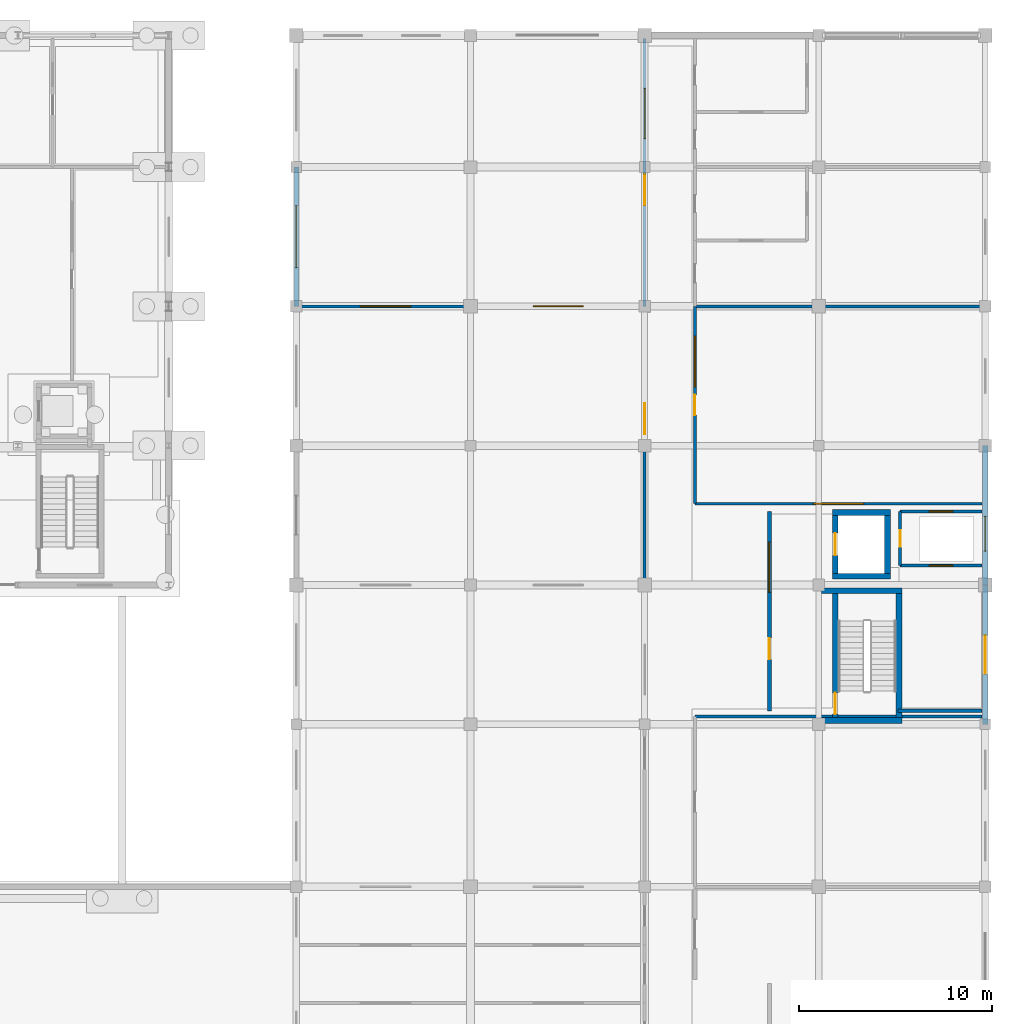
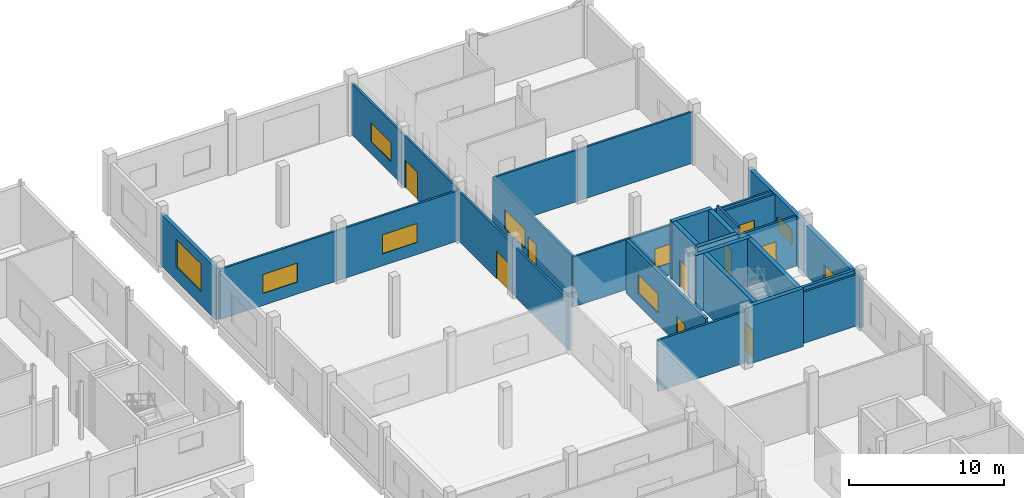
# One storey, part 77 of 91: 23 walls, 10 windows, 8 doors, 18 openings.
"""IFC4 building model written with IfcOpenShell, lengths in metres."""

from ifc_helpers import new_model, si_unit, direction, frame, frame_2d, origin, place, context, subcontext, project, spatial, rectangle, extrude, material, layer, layer_set, type_object, element, fill, save


model = new_model("IFC4")

# Units and contexts
model_context = context("Model", 3, precision=1e-05, world=origin(), true_north=direction((0.0, 1.0)))
body_context = subcontext(model_context, "Body", "Model", "MODEL_VIEW")
ifc_project = project(units=[si_unit("LENGTHUNIT", "METRE"), si_unit("AREAUNIT", "SQUARE_METRE"), si_unit("VOLUMEUNIT", "CUBIC_METRE"), si_unit("PLANEANGLEUNIT", "RADIAN"), si_unit("MASSUNIT", "GRAM", prefix="KILO")], contexts=[model_context])

# Site, building, storey
site_placement = place(None, origin())
site = spatial("IfcSite", under=ifc_project, at=site_placement, CompositionType="ELEMENT")
building_placement = place(site_placement, origin())
building = spatial("IfcBuilding", under=site, at=building_placement, Name="Vinh Khe Railworks Police Headquarters", CompositionType="ELEMENT")
storey_placement = place(building_placement, origin())
storey = spatial("IfcBuildingStorey", under=building, at=storey_placement, Name="L00", CompositionType="ELEMENT", Elevation=0.0)

# Walls
ifc_material_1 = material(Name="Concrete C40/50 (B40)", Category="concrete")
ifc_layer_1 = layer(ifc_material_1, 0.300048828125)
ifc_layer_set_1 = layer_set([ifc_layer_1], Name="Concrete C40/50 (B40)")
wall_type_1 = type_object("IfcWallType", Name="Core Shear Wall 300", PredefinedType="SHEAR", material=ifc_layer_set_1)
for number, where, z_axis, x_axis, name in (
    (1, (105.14990234375, 131.0, 0.0), (0.0, 0.0, 1.0), (1.0, 0.0, 0.0), "Core C3 STAIR-S Shear Wall (L00)"),
    (2, (105.14990234375, 137.699951171875, 0.0), (0.0, 0.0, 1.0), (1.0, 0.0, 0.0), "Core C3 STAIR-N Shear Wall (L00)"),
):
    element("IfcWall", number, at=place(storey_placement, frame(where, z_axis=z_axis, x_axis=x_axis)), inside=storey, type_object=wall_type_1, Name=name, PredefinedType="SHEAR", context=body_context, shape_type="SweptSolid", body=[
        extrude(rectangle(XDim=4.150146484375, YDim=0.300048828125, at=frame_2d((2.0751953125, 0.0))), origin(), (0.0, 0.0, 1.0), 4.56005859375),
    ])

# Wall, opening, door
wall_1_placement = place(storey_placement, frame((105.85009765625, 131.14990234375, 0.0), z_axis=(0.0, 0.0, 1.0), x_axis=(0.0, 1.0, 0.0)))
wall_1 = element("IfcWall", 3, at=wall_1_placement, inside=storey, type_object=wall_type_1, Name="Core C3 STAIR-W Shear Wall (L00)", PredefinedType="SHEAR", context=body_context, shape_type="SweptSolid", body=[
    extrude(rectangle(XDim=6.400146484375, YDim=0.300048828125, at=frame_2d((3.2001953125, 0.0))), origin(), (0.0, 0.0, 1.0), 4.56005859375),
])
opening_1_placement = place(wall_1_placement, frame((0.169921875, 0.0, 0.0)))
opening_1 = element("IfcOpeningElement", 4, at=opening_1_placement, cuts=wall_1, Name="Opening FD-01", PredefinedType="OPENING", context=body_context, shape_type="SweptSolid", body=[
    extrude(rectangle(XDim=1.10009765625, YDim=2.14990234375, at=frame_2d((0.550048828125, 1.074951171875))), frame((0.0, 0.1650390625, 0.0), z_axis=(0.0, -1.0, 0.0), x_axis=(1.0, 0.0, 0.0)), (0.0, 0.0, 1.0), 0.329833984375),
])
ifc_material_2 = material(Name="Painted galvanised steel", Category="steel")
door_type_1 = type_object("IfcDoorType", Name="FD-1100x2150", OperationType="NOTDEFINED", PredefinedType="DOOR", material=ifc_material_2)
door_1_placement = place(opening_1_placement, origin())
door_1 = element("IfcDoor", 5, at=door_1_placement, inside=storey, type_object=door_type_1, Name="Escape Stair ST-03 Fire Door L00", OperationType="SINGLE_SWING_LEFT", OverallHeight=2.14990234375, OverallWidth=1.10009765625, PredefinedType="DOOR", context=body_context, shape_type="SweptSolid", body=[
    extrude(rectangle(XDim=1.10009765625, YDim=2.14990234375, at=frame_2d((0.550048828125, 1.074951171875))), frame((0.0, 0.02490234375, 0.0), z_axis=(0.0, -1.0, 0.0), x_axis=(1.0, 0.0, 0.0)), (0.0, 0.0, 1.0), 0.050048828125),
])
fill(opening_1, door_1)

# Walls
wall_2_placement = place(storey_placement, frame((109.14990234375, 131.14990234375, 0.0), z_axis=(0.0, 0.0, 1.0), x_axis=(0.0, 1.0, 0.0)))
element("IfcWall", 6, at=wall_2_placement, inside=storey, type_object=wall_type_1, Name="Core C3 STAIR-E Shear Wall (L00)", PredefinedType="SHEAR", context=body_context, shape_type="SweptSolid", body=[
    extrude(rectangle(XDim=6.400146484375, YDim=0.300048828125, at=frame_2d((3.2001953125, 0.0))), origin(), (0.0, 0.0, 1.0), 4.56005859375),
])
for number, where, z_axis, x_axis, name in (
    (7, (105.699951171875, 138.449951171875, 0.0), (0.0, 0.0, 1.0), (1.0, 0.0, 0.0), "Core C3 PL-S Lift Shaft Wall (L00)"),
    (8, (105.699951171875, 141.75, 0.0), (0.0, 0.0, 1.0), (1.0, 0.0, 0.0), "Core C3 PL-N Lift Shaft Wall (L00)"),
):
    element("IfcWall", number, at=place(storey_placement, frame(where, z_axis=z_axis, x_axis=x_axis)), inside=storey, type_object=wall_type_1, Name=name, PredefinedType="SHEAR", context=body_context, shape_type="SweptSolid", body=[
        extrude(rectangle(XDim=3.0, YDim=0.300048828125, at=frame_2d((1.5, 0.0))), origin(), (0.0, 0.0, 1.0), 4.56005859375),
    ])

# Wall, opening, door
wall_3_placement = place(storey_placement, frame((105.85009765625, 138.60009765625, 0.0), z_axis=(0.0, 0.0, 1.0), x_axis=(0.0, 1.0, 0.0)))
wall_3 = element("IfcWall", 9, at=wall_3_placement, inside=storey, type_object=wall_type_1, Name="Core C3 PL-W Lift Shaft Wall (L00)", PredefinedType="SHEAR", context=body_context, shape_type="SweptSolid", body=[
    extrude(rectangle(XDim=3.0, YDim=0.300048828125, at=frame_2d((1.5, 0.0))), origin(), (0.0, 0.0, 1.0), 4.56005859375),
])
opening_2_placement = place(wall_3_placement, frame((0.925048828125, 0.0, 0.0)))
opening_2 = element("IfcOpeningElement", 10, at=opening_2_placement, cuts=wall_3, Name="Opening LD-03", PredefinedType="OPENING", context=body_context, shape_type="SweptSolid", body=[
    extrude(rectangle(XDim=1.14990234375, YDim=2.14990234375, at=frame_2d((0.574951171875, 1.074951171875))), frame((0.0, 0.1650390625, 0.0), z_axis=(0.0, -1.0, 0.0), x_axis=(1.0, 0.0, 0.0)), (0.0, 0.0, 1.0), 0.329833984375),
])
door_type_2 = type_object("IfcDoorType", Name="LD-CUST-1150", OperationType="SLIDING_TO_LEFT", PredefinedType="DOOR", material=ifc_material_2)
door_2_placement = place(opening_2_placement, origin())
door_2 = element("IfcDoor", 11, at=door_2_placement, inside=storey, type_object=door_type_2, Name="Lift Landing Door PL-03 L00", OperationType="SLIDING_TO_LEFT", OverallHeight=2.14990234375, OverallWidth=1.14990234375, PredefinedType="DOOR", context=body_context, shape_type="SweptSolid", body=[
    extrude(rectangle(XDim=1.14990234375, YDim=2.14990234375, at=frame_2d((0.574951171875, 1.074951171875))), frame((0.0, 0.02490234375, 0.0), z_axis=(0.0, -1.0, 0.0), x_axis=(1.0, 0.0, 0.0)), (0.0, 0.0, 1.0), 0.050048828125),
])
fill(opening_2, door_2)

# Wall
wall_4_placement = place(storey_placement, frame((108.550048828125, 138.60009765625, 0.0), z_axis=(0.0, 0.0, 1.0), x_axis=(0.0, 1.0, 0.0)))
element("IfcWall", 12, at=wall_4_placement, inside=storey, type_object=wall_type_1, Name="Core C3 PL-E Lift Shaft Wall (L00)", PredefinedType="SHEAR", context=body_context, shape_type="SweptSolid", body=[
    extrude(rectangle(XDim=3.0, YDim=0.300048828125, at=frame_2d((1.5, 0.0))), origin(), (0.0, 0.0, 1.0), 4.56005859375),
])

# Wall, opening, window
ifc_material_3 = material(Name="Clay brickwork", Category="masonry")
ifc_layer_2 = layer(ifc_material_3, 0.260009765625)
ifc_layer_set_2 = layer_set([ifc_layer_2], Name="Clay brickwork")
wall_type_2 = type_object("IfcWallType", Name="EW-BRK-260", PredefinedType="SOLIDWALL", material=ifc_layer_set_2)
wall_5_placement = place(storey_placement, frame((78.0, 152.39990234375, 0.0), z_axis=(0.0, 0.0, 1.0), x_axis=(0.0, 1.0, 0.0)))
wall_5 = element("IfcWall", 13, at=wall_5_placement, inside=storey, type_object=wall_type_2, Name="Exterior Brick Wall EW-L00-V6W-08", PredefinedType="SOLIDWALL", context=body_context, shape_type="SweptSolid", body=[
    extrude(rectangle(XDim=7.2001953125, YDim=0.260009765625, at=frame_2d((3.60009765625, 0.0))), origin(), (0.0, 0.0, 1.0), 4.054931640625),
])
opening_3_placement = place(wall_5_placement, frame((2.0, 0.0, 1.050048828125)))
opening_3 = element("IfcOpeningElement", 14, at=opening_3_placement, cuts=wall_5, Name="Opening WN-03", PredefinedType="OPENING", context=body_context, shape_type="SweptSolid", body=[
    extrude(rectangle(XDim=3.199951171875, YDim=2.199951171875, at=frame_2d((1.60009765625, 1.10009765625))), frame((0.0, 0.14501953125, 0.0), z_axis=(0.0, -1.0, 0.0), x_axis=(1.0, 0.0, 0.0)), (0.0, 0.0, 1.0), 0.289794921875),
])
ifc_material_4 = material(Name="Double-glazed solar-control glass in dark steel frame", Category="steel")
window_type_1 = type_object("IfcWindowType", Name="WIN-WN-03", PartitioningType="TRIPLE_PANEL_VERTICAL", PredefinedType="WINDOW", material=ifc_material_4)
window_1_placement = place(opening_3_placement, origin())
window_1 = element("IfcWindow", 15, at=window_1_placement, inside=storey, type_object=window_type_1, Name="Casement Window WN-03", OverallHeight=2.199951171875, OverallWidth=3.199951171875, PartitioningType="SINGLE_PANEL", PredefinedType="WINDOW", context=body_context, shape_type="SweptSolid", body=[
    extrude(rectangle(XDim=3.199951171875, YDim=2.199951171875, at=frame_2d((1.60009765625, 1.10009765625))), frame((0.0, 0.030029296875, 0.0), z_axis=(0.0, -1.0, 0.0), x_axis=(1.0, 0.0, 0.0)), (0.0, 0.0, 1.0), 0.06005859375),
])
fill(opening_3, window_1)

# Wall, opening, door
ifc_layer_3 = layer(ifc_material_3, 0.300048828125)
ifc_layer_set_3 = layer_set([ifc_layer_3], Name="Clay brickwork")
wall_type_3 = type_object("IfcWallType", Name="EW-BRK-300", PredefinedType="SOLIDWALL", material=ifc_layer_set_3)
wall_6_placement = place(storey_placement, frame((113.60009765625, 130.800048828125, 0.0), z_axis=(0.0, 0.0, 1.0), x_axis=(0.0, 1.0, 0.0)))
wall_6 = element("IfcWall", 16, at=wall_6_placement, inside=storey, type_object=wall_type_3, Name="Exterior Brick Wall EW-L00-V6E-05", PredefinedType="SOLIDWALL", context=body_context, shape_type="SweptSolid", body=[
    extrude(rectangle(XDim=7.199951171875, YDim=0.300048828125, at=frame_2d((3.60009765625, 0.0))), origin(), (0.0, 0.0, 1.0), 3.965087890625),
])
opening_4_placement = place(wall_6_placement, frame((2.60009765625, 0.0, 0.0)))
opening_4 = element("IfcOpeningElement", 17, at=opening_4_placement, cuts=wall_6, Name="Opening ED-01", PredefinedType="OPENING", context=body_context, shape_type="SweptSolid", body=[
    extrude(rectangle(XDim=2.0, YDim=2.25, at=frame_2d((1.0, 1.125))), frame((0.0, 0.1650390625, 0.0), z_axis=(0.0, -1.0, 0.0), x_axis=(1.0, 0.0, 0.0)), (0.0, 0.0, 1.0), 0.329833984375),
])
ifc_material_5 = material(Name="Dark anodised aluminium and laminated safety glass", Category="aluminium")
door_type_3 = type_object("IfcDoorType", Name="ED-EXIT-2000", OperationType="DOUBLE_DOOR_SINGLE_SWING", PredefinedType="DOOR", material=ifc_material_5)
door_3_placement = place(opening_4_placement, frame((2.0, 0.0, 0.0), z_axis=(0.0, 0.0, 1.0), x_axis=(-1.0, 0.0, 0.0)))
door_3 = element("IfcDoor", 18, at=door_3_placement, inside=storey, type_object=door_type_3, Name="Forensic Core C3 Final Exit Door", OperationType="DOUBLE_DOOR_SINGLE_SWING", OverallHeight=2.25, OverallWidth=2.0, PredefinedType="DOOR", context=body_context, shape_type="SweptSolid", body=[
    extrude(rectangle(XDim=2.0, YDim=2.25, at=frame_2d((1.0, 1.125))), frame((0.0, 0.02490234375, 0.0), z_axis=(0.0, -1.0, 0.0), x_axis=(1.0, 0.0, 0.0)), (0.0, 0.0, 1.0), 0.050048828125),
])
fill(opening_4, door_3)

# Wall, opening, window
wall_7_placement = place(storey_placement, frame((113.60009765625, 138.0, 0.0), z_axis=(0.0, 0.0, 1.0), x_axis=(0.0, 1.0, 0.0)))
wall_7 = element("IfcWall", 19, at=wall_7_placement, inside=storey, type_object=wall_type_3, Name="Exterior Brick Wall EW-L00-V6E-06", PredefinedType="SOLIDWALL", context=body_context, shape_type="SweptSolid", body=[
    extrude(rectangle(XDim=7.199951171875, YDim=0.300048828125, at=frame_2d((3.60009765625, 0.0))), origin(), (0.0, 0.0, 1.0), 3.955078125),
])
opening_5_placement = place(wall_7_placement, frame((1.75, 0.0, 1.10009765625)))
opening_5 = element("IfcOpeningElement", 20, at=opening_5_placement, cuts=wall_7, Name="Opening WN-08", PredefinedType="OPENING", context=body_context, shape_type="SweptSolid", body=[
    extrude(rectangle(XDim=1.800048828125, YDim=1.199951171875, at=frame_2d((0.89990234375, 0.60009765625))), frame((0.0, 0.1650390625, 0.0), z_axis=(0.0, -1.0, 0.0), x_axis=(1.0, 0.0, 0.0)), (0.0, 0.0, 1.0), 0.329833984375),
])
window_type_2 = type_object("IfcWindowType", Name="WIN-WN-08", PartitioningType="SINGLE_PANEL", PredefinedType="WINDOW", material=ifc_material_4)
window_2_placement = place(opening_5_placement, origin())
window_2 = element("IfcWindow", 21, at=window_2_placement, inside=storey, type_object=window_type_2, Name="Casement Window WN-08", OverallHeight=1.199951171875, OverallWidth=1.800048828125, PartitioningType="SINGLE_PANEL", PredefinedType="WINDOW", context=body_context, shape_type="SweptSolid", body=[
    extrude(rectangle(XDim=1.800048828125, YDim=1.199951171875, at=frame_2d((0.89990234375, 0.60009765625))), frame((0.0, 0.030029296875, 0.0), z_axis=(0.0, -1.0, 0.0), x_axis=(1.0, 0.0, 0.0)), (0.0, 0.0, 1.0), 0.06005859375),
])
fill(opening_5, window_2)

# Wall, openings, door, window
ifc_material_6 = material(Name="Autoclaved aerated concrete blockwork", Category="masonry")
ifc_layer_4 = layer(ifc_material_6, 0.199951171875)
ifc_layer_set_4 = layer_set([ifc_layer_4], Name="Autoclaved aerated concrete blockwork")
wall_type_4 = type_object("IfcWallType", Name="IW-BLK-200", PredefinedType="PARTITIONING", material=ifc_layer_set_4)
wall_8_placement = place(storey_placement, frame((102.449951171875, 131.5, 0.0), z_axis=(0.0, 0.0, 1.0), x_axis=(0.0, 1.0, 0.0)))
wall_8 = element("IfcWall", 22, at=wall_8_placement, inside=storey, type_object=wall_type_4, Name="Interior Partition W-C3LOB-W-L00", PredefinedType="PARTITIONING", context=body_context, shape_type="SweptSolid", body=[
    extrude(rectangle(XDim=10.300048828125, YDim=0.199951171875, at=frame_2d((5.14990234375, 0.0))), origin(), (0.0, 0.0, 1.0), 4.205078125),
])
opening_6_placement = place(wall_8_placement, frame((2.64990234375, 0.0, 0.0)))
opening_6 = element("IfcOpeningElement", 23, at=opening_6_placement, cuts=wall_8, Name="Opening FD-01", PredefinedType="OPENING", context=body_context, shape_type="SweptSolid", body=[
    extrude(rectangle(XDim=1.10009765625, YDim=2.14990234375, at=frame_2d((0.550048828125, 1.074951171875))), frame((0.0, 0.11474609375, 0.0), z_axis=(0.0, -1.0, 0.0), x_axis=(1.0, 0.0, 0.0)), (0.0, 0.0, 1.0), 0.229736328125),
])
opening_7_placement = place(wall_8_placement, frame((6.115966796875, 0.0, 0.949951171875)))
opening_7 = element("IfcOpeningElement", 24, at=opening_7_placement, cuts=wall_8, Name="Opening WN-07", PredefinedType="OPENING", context=body_context, shape_type="SweptSolid", body=[
    extrude(rectangle(XDim=2.60009765625, YDim=1.5, at=frame_2d((1.300048828125, 0.75))), frame((0.0, 0.11474609375, 0.0), z_axis=(0.0, -1.0, 0.0), x_axis=(1.0, 0.0, 0.0)), (0.0, 0.0, 1.0), 0.229736328125),
])
door_4_placement = place(opening_6_placement, origin())
door_4 = element("IfcDoor", 25, at=door_4_placement, inside=storey, type_object=door_type_1, Name="Forensic Stair Lobby Fire Door", OperationType="SINGLE_SWING_RIGHT", OverallHeight=2.14990234375, OverallWidth=1.10009765625, PredefinedType="DOOR", context=body_context, shape_type="SweptSolid", body=[
    extrude(rectangle(XDim=1.10009765625, YDim=2.14990234375, at=frame_2d((0.550048828125, 1.074951171875))), frame((0.0, 0.02490234375, 0.0), z_axis=(0.0, -1.0, 0.0), x_axis=(1.0, 0.0, 0.0)), (0.0, 0.0, 1.0), 0.050048828125),
])
fill(opening_6, door_4)
window_type_3 = type_object("IfcWindowType", Name="WIN-WN-07", PartitioningType="DOUBLE_PANEL_HORIZONTAL", PredefinedType="WINDOW", material=ifc_material_4)
window_3_placement = place(opening_7_placement, origin())
window_3 = element("IfcWindow", 26, at=window_3_placement, inside=storey, type_object=window_type_3, Name="Interior Acoustic Vision Window WN-07", OverallHeight=1.5, OverallWidth=2.60009765625, PartitioningType="SINGLE_PANEL", PredefinedType="WINDOW", context=body_context, shape_type="SweptSolid", body=[
    extrude(rectangle(XDim=2.60009765625, YDim=1.5, at=frame_2d((1.300048828125, 0.75))), frame((0.0, 0.030029296875, 0.0), z_axis=(0.0, -1.0, 0.0), x_axis=(1.0, 0.0, 0.0)), (0.0, 0.0, 1.0), 0.06005859375),
])
fill(opening_7, window_3)

# Wall
wall_9_placement = place(storey_placement, frame((109.10009765625, 131.5, 0.0), z_axis=(0.0, 0.0, 1.0), x_axis=(1.0, 0.0, 0.0)))
element("IfcWall", 27, at=wall_9_placement, inside=storey, type_object=wall_type_4, Name="Interior Partition W-C3PASS-S-L00", PredefinedType="PARTITIONING", context=body_context, shape_type="SweptSolid", body=[
    extrude(rectangle(XDim=4.33984375, YDim=0.199951171875, at=frame_2d((2.169921875, 0.0))), origin(), (0.0, 0.0, 1.0), 4.22509765625),
])

# Wall, openings, windows
ifc_material_7 = material(Name="Gypsum plasterboard on steel stud", Category="steel")
ifc_layer_5 = layer(ifc_material_7, 0.1201171875)
ifc_layer_set_5 = layer_set([ifc_layer_5], Name="Gypsum plasterboard on steel stud")
wall_type_5 = type_object("IfcWallType", Name="IW-PART-120", PredefinedType="PARTITIONING", material=ifc_layer_set_5)
wall_10_placement = place(storey_placement, frame((78.139892578125, 152.39990234375, 0.0), z_axis=(0.0, 0.0, 1.0), x_axis=(1.0, 0.0, 0.0)))
wall_10 = element("IfcWall", 28, at=wall_10_placement, inside=storey, type_object=wall_type_5, Name="Interior Partition W-L00-V6-TREG-DIV", PredefinedType="PARTITIONING", context=body_context, shape_type="SweptSolid", body=[
    extrude(rectangle(XDim=17.860107421875, YDim=0.14990234375, at=frame_2d((8.93017578125, 0.0))), origin(), (0.0, 0.0, 1.0), 3.965087890625),
])
opening_8_placement = place(wall_10_placement, frame((3.1650390625, 0.0, 0.949951171875)))
opening_8 = element("IfcOpeningElement", 29, at=opening_8_placement, cuts=wall_10, Name="Opening WN-07", PredefinedType="OPENING", context=body_context, shape_type="SweptSolid", body=[
    extrude(rectangle(XDim=2.60009765625, YDim=1.5, at=frame_2d((1.300048828125, 0.75))), frame((0.0, 0.08984375, 0.0), z_axis=(0.0, -1.0, 0.0), x_axis=(1.0, 0.0, 0.0)), (0.0, 0.0, 1.0), 0.1796875),
])
opening_9_placement = place(wall_10_placement, frame((12.094970703125, 0.0, 0.949951171875)))
opening_9 = element("IfcOpeningElement", 30, at=opening_9_placement, cuts=wall_10, Name="Opening WN-07", PredefinedType="OPENING", context=body_context, shape_type="SweptSolid", body=[
    extrude(rectangle(XDim=2.60009765625, YDim=1.5, at=frame_2d((1.300048828125, 0.75))), frame((0.0, 0.08984375, 0.0), z_axis=(0.0, -1.0, 0.0), x_axis=(1.0, 0.0, 0.0)), (0.0, 0.0, 1.0), 0.1796875),
])
window_4_placement = place(opening_8_placement, origin())
window_4 = element("IfcWindow", 31, at=window_4_placement, inside=storey, type_object=window_type_3, Name="Interior Acoustic Vision Window WN-07", OverallHeight=1.5, OverallWidth=2.60009765625, PartitioningType="SINGLE_PANEL", PredefinedType="WINDOW", context=body_context, shape_type="SweptSolid", body=[
    extrude(rectangle(XDim=2.60009765625, YDim=1.5, at=frame_2d((1.300048828125, 0.75))), frame((0.0, 0.030029296875, 0.0), z_axis=(0.0, -1.0, 0.0), x_axis=(1.0, 0.0, 0.0)), (0.0, 0.0, 1.0), 0.06005859375),
])
fill(opening_8, window_4)
window_5_placement = place(opening_9_placement, origin())
window_5 = element("IfcWindow", 32, at=window_5_placement, inside=storey, type_object=window_type_3, Name="Interior Acoustic Vision Window WN-07", OverallHeight=1.5, OverallWidth=2.60009765625, PartitioningType="SINGLE_PANEL", PredefinedType="WINDOW", context=body_context, shape_type="SweptSolid", body=[
    extrude(rectangle(XDim=2.60009765625, YDim=1.5, at=frame_2d((1.300048828125, 0.75))), frame((0.0, 0.030029296875, 0.0), z_axis=(0.0, -1.0, 0.0), x_axis=(1.0, 0.0, 0.0)), (0.0, 0.0, 1.0), 0.06005859375),
])
fill(opening_9, window_5)

# Wall
wall_11_placement = place(storey_placement, frame((98.60009765625, 131.199951171875, 0.0), z_axis=(0.0, 0.0, 1.0), x_axis=(1.0, 0.0, 0.0)))
element("IfcWall", 33, at=wall_11_placement, inside=storey, type_object=wall_type_5, Name="Interior Partition W-L00-V6-DRY-ENDN", PredefinedType="PARTITIONING", context=body_context, shape_type="SweptSolid", body=[
    extrude(rectangle(XDim=14.83984375, YDim=0.14990234375, at=frame_2d((7.419921875, 0.0))), origin(), (0.0, 0.0, 1.0), 4.054931640625),
])

# Wall, opening, window
wall_12_placement = place(storey_placement, frame((98.60009765625, 142.199951171875, 0.0), z_axis=(0.0, 0.0, 1.0), x_axis=(1.0, 0.0, 0.0)))
wall_12 = element("IfcWall", 34, at=wall_12_placement, inside=storey, type_object=wall_type_5, Name="Interior Partition W-L00-V6-FSTOR-DIV", PredefinedType="PARTITIONING", context=body_context, shape_type="SweptSolid", body=[
    extrude(rectangle(XDim=14.83984375, YDim=0.14990234375, at=frame_2d((7.419921875, 0.0))), origin(), (0.0, 0.0, 1.0), 3.955078125),
])
opening_10_placement = place(wall_12_placement, frame((6.1201171875, 0.0, 0.949951171875)))
opening_10 = element("IfcOpeningElement", 35, at=opening_10_placement, cuts=wall_12, Name="Opening WN-07", PredefinedType="OPENING", context=body_context, shape_type="SweptSolid", body=[
    extrude(rectangle(XDim=2.60009765625, YDim=1.5, at=frame_2d((1.300048828125, 0.75))), frame((0.0, 0.08984375, 0.0), z_axis=(0.0, -1.0, 0.0), x_axis=(1.0, 0.0, 0.0)), (0.0, 0.0, 1.0), 0.1796875),
])
window_6_placement = place(opening_10_placement, origin())
window_6 = element("IfcWindow", 36, at=window_6_placement, inside=storey, type_object=window_type_3, Name="Interior Acoustic Vision Window WN-07", OverallHeight=1.5, OverallWidth=2.60009765625, PartitioningType="SINGLE_PANEL", PredefinedType="WINDOW", context=body_context, shape_type="SweptSolid", body=[
    extrude(rectangle(XDim=2.60009765625, YDim=1.5, at=frame_2d((1.300048828125, 0.75))), frame((0.0, 0.030029296875, 0.0), z_axis=(0.0, -1.0, 0.0), x_axis=(1.0, 0.0, 0.0)), (0.0, 0.0, 1.0), 0.06005859375),
])
fill(opening_10, window_6)

# Wall
wall_13_placement = place(storey_placement, frame((98.60009765625, 152.39990234375, 0.0), z_axis=(0.0, 0.0, 1.0), x_axis=(1.0, 0.0, 0.0)))
element("IfcWall", 37, at=wall_13_placement, inside=storey, type_object=wall_type_5, Name="Interior Partition W-L00-V6-V6WC-DIV", PredefinedType="PARTITIONING", context=body_context, shape_type="SweptSolid", body=[
    extrude(rectangle(XDim=14.83984375, YDim=0.14990234375, at=frame_2d((7.419921875, 0.0))), origin(), (0.0, 0.0, 1.0), 4.06494140625),
])

# Wall, opening, window
ifc_material_8 = material(Name="Gypsum plasterboard on acoustic steel stud", Category="steel")
ifc_layer_6 = layer(ifc_material_8, 0.14990234375)
ifc_layer_set_6 = layer_set([ifc_layer_6], Name="Gypsum plasterboard on acoustic steel stud")
wall_type_6 = type_object("IfcWallType", Name="IW-PART-150", PredefinedType="PARTITIONING", material=ifc_layer_set_6)
wall_14_placement = place(storey_placement, frame((109.199951171875, 139.0, 0.0), z_axis=(0.0, 0.0, 1.0), x_axis=(1.0, 0.0, 0.0)))
wall_14 = element("IfcWall", 38, at=wall_14_placement, inside=storey, type_object=wall_type_6, Name="Interior Partition W-RSR-C3-S-L00", PredefinedType="PARTITIONING", context=body_context, shape_type="SweptSolid", body=[
    extrude(rectangle(XDim=4.239990234375, YDim=0.14990234375, at=frame_2d((2.1201171875, 0.0))), origin(), (0.0, 0.0, 1.0), 3.955078125),
])
opening_11_placement = place(wall_14_placement, frame((1.52001953125, 0.0, 0.949951171875)))
opening_11 = element("IfcOpeningElement", 39, at=opening_11_placement, cuts=wall_14, Name="Opening WN-10", PredefinedType="OPENING", context=body_context, shape_type="SweptSolid", body=[
    extrude(rectangle(XDim=1.199951171875, YDim=1.5, at=frame_2d((0.60009765625, 0.75))), frame((0.0, 0.08984375, 0.0), z_axis=(0.0, -1.0, 0.0), x_axis=(1.0, 0.0, 0.0)), (0.0, 0.0, 1.0), 0.1796875),
])
window_type_4 = type_object("IfcWindowType", Name="WIN-WN-10", PartitioningType="SINGLE_PANEL", PredefinedType="WINDOW", material=ifc_material_4)
window_7_placement = place(opening_11_placement, origin())
window_7 = element("IfcWindow", 40, at=window_7_placement, inside=storey, type_object=window_type_4, Name="Interior Acoustic Vision Window WN-10", OverallHeight=1.5, OverallWidth=1.199951171875, PartitioningType="SINGLE_PANEL", PredefinedType="WINDOW", context=body_context, shape_type="SweptSolid", body=[
    extrude(rectangle(XDim=1.199951171875, YDim=1.5, at=frame_2d((0.60009765625, 0.75))), frame((0.0, 0.030029296875, 0.0), z_axis=(0.0, -1.0, 0.0), x_axis=(1.0, 0.0, 0.0)), (0.0, 0.0, 1.0), 0.06005859375),
])
fill(opening_11, window_7)

wall_15_placement = place(storey_placement, frame((109.199951171875, 141.800048828125, 0.0), z_axis=(0.0, 0.0, 1.0), x_axis=(1.0, 0.0, 0.0)))
wall_15 = element("IfcWall", 41, at=wall_15_placement, inside=storey, type_object=wall_type_6, Name="Interior Partition W-RSR-C3-N-L00", PredefinedType="PARTITIONING", context=body_context, shape_type="SweptSolid", body=[
    extrude(rectangle(XDim=4.239990234375, YDim=0.14990234375, at=frame_2d((2.1201171875, 0.0))), origin(), (0.0, 0.0, 1.0), 3.955078125),
])
opening_12_placement = place(wall_15_placement, frame((1.52001953125, 0.0, 0.949951171875)))
opening_12 = element("IfcOpeningElement", 42, at=opening_12_placement, cuts=wall_15, Name="Opening WN-10", PredefinedType="OPENING", context=body_context, shape_type="SweptSolid", body=[
    extrude(rectangle(XDim=1.199951171875, YDim=1.5, at=frame_2d((0.60009765625, 0.75))), frame((0.0, 0.08984375, 0.0), z_axis=(0.0, -1.0, 0.0), x_axis=(1.0, 0.0, 0.0)), (0.0, 0.0, 1.0), 0.1796875),
])
window_8_placement = place(opening_12_placement, origin())
window_8 = element("IfcWindow", 43, at=window_8_placement, inside=storey, type_object=window_type_4, Name="Interior Acoustic Vision Window WN-10", OverallHeight=1.5, OverallWidth=1.199951171875, PartitioningType="SINGLE_PANEL", PredefinedType="WINDOW", context=body_context, shape_type="SweptSolid", body=[
    extrude(rectangle(XDim=1.199951171875, YDim=1.5, at=frame_2d((0.60009765625, 0.75))), frame((0.0, 0.030029296875, 0.0), z_axis=(0.0, -1.0, 0.0), x_axis=(1.0, 0.0, 0.0)), (0.0, 0.0, 1.0), 0.06005859375),
])
fill(opening_12, window_8)

# Wall, opening, door
wall_16_placement = place(storey_placement, frame((109.199951171875, 139.0, 0.0), z_axis=(0.0, 0.0, 1.0), x_axis=(0.0, 1.0, 0.0)))
wall_16 = element("IfcWall", 44, at=wall_16_placement, inside=storey, type_object=wall_type_6, Name="Interior Partition W-RSR-C3-W-L00", PredefinedType="PARTITIONING", context=body_context, shape_type="SweptSolid", body=[
    extrude(rectangle(XDim=2.800048828125, YDim=0.14990234375, at=frame_2d((1.39990234375, 0.0))), origin(), (0.0, 0.0, 1.0), 4.554931640625),
])
opening_13_placement = place(wall_16_placement, frame((0.97509765625, 0.0, 0.0)))
opening_13 = element("IfcOpeningElement", 45, at=opening_13_placement, cuts=wall_16, Name="Opening FD-04", PredefinedType="OPENING", context=body_context, shape_type="SweptSolid", body=[
    extrude(rectangle(XDim=0.85009765625, YDim=2.10009765625, at=frame_2d((0.425048828125, 1.050048828125))), frame((0.0, 0.08984375, 0.0), z_axis=(0.0, -1.0, 0.0), x_axis=(1.0, 0.0, 0.0)), (0.0, 0.0, 1.0), 0.1796875),
])
door_type_4 = type_object("IfcDoorType", Name="FD-850x2100", OperationType="NOTDEFINED", PredefinedType="DOOR", material=ifc_material_2)
door_5_placement = place(opening_13_placement, frame((0.85009765625, 0.0, 0.0), z_axis=(0.0, 0.0, 1.0), x_axis=(-1.0, 0.0, 0.0)))
door_5 = element("IfcDoor", 46, at=door_5_placement, inside=storey, type_object=door_type_4, Name="Fume Riser Access Door", OperationType="SINGLE_SWING_LEFT", OverallHeight=2.10009765625, OverallWidth=0.85009765625, PredefinedType="DOOR", context=body_context, shape_type="SweptSolid", body=[
    extrude(rectangle(XDim=0.85009765625, YDim=2.10009765625, at=frame_2d((0.425048828125, 1.050048828125))), frame((0.0, 0.02490234375, 0.0), z_axis=(0.0, -1.0, 0.0), x_axis=(1.0, 0.0, 0.0)), (0.0, 0.0, 1.0), 0.050048828125),
])
fill(opening_13, door_5)

wall_17_placement = place(storey_placement, frame((96.0, 138.0, 0.0), z_axis=(0.0, 0.0, 1.0), x_axis=(0.0, 1.0, 0.0)))
wall_17 = element("IfcWall", 47, at=wall_17_placement, inside=storey, type_object=wall_type_6, Name="Interior Partition W-L00-V6-CSVEH-CW", PredefinedType="PARTITIONING", context=body_context, shape_type="SweptSolid", body=[
    extrude(rectangle(XDim=14.39990234375, YDim=0.14990234375, at=frame_2d((7.199951171875, 0.0))), origin(), (0.0, 0.0, 1.0), 3.955078125),
])
opening_14_placement = place(wall_17_placement, frame((7.800048828125, 0.0, 0.0)))
opening_14 = element("IfcOpeningElement", 48, at=opening_14_placement, cuts=wall_17, Name="Opening D-03", PredefinedType="OPENING", context=body_context, shape_type="SweptSolid", body=[
    extrude(rectangle(XDim=1.60009765625, YDim=2.14990234375, at=frame_2d((0.800048828125, 1.074951171875))), frame((0.0, 0.08984375, 0.0), z_axis=(0.0, -1.0, 0.0), x_axis=(1.0, 0.0, 0.0)), (0.0, 0.0, 1.0), 0.1796875),
])
door_type_5 = type_object("IfcDoorType", Name="ID-1600x2150", OperationType="DOUBLE_DOOR_SINGLE_SWING", PredefinedType="DOOR", material=ifc_material_2)
door_6_placement = place(opening_14_placement, origin())
door_6 = element("IfcDoor", 49, at=door_6_placement, inside=storey, type_object=door_type_5, Name="Crime Scene Vehicle Examination Bay Door", OperationType="DOUBLE_DOOR_SINGLE_SWING", OverallHeight=2.14990234375, OverallWidth=1.60009765625, PredefinedType="DOOR", context=body_context, shape_type="SweptSolid", body=[
    extrude(rectangle(XDim=1.60009765625, YDim=2.14990234375, at=frame_2d((0.800048828125, 1.074951171875))), frame((0.0, 0.02490234375, 0.0), z_axis=(0.0, -1.0, 0.0), x_axis=(1.0, 0.0, 0.0)), (0.0, 0.0, 1.0), 0.050048828125),
])
fill(opening_14, door_6)

# Wall, openings, door, window
wall_18_placement = place(storey_placement, frame((96.0, 152.39990234375, 0.0), z_axis=(0.0, 0.0, 1.0), x_axis=(0.0, 1.0, 0.0)))
wall_18 = element("IfcWall", 50, at=wall_18_placement, inside=storey, type_object=wall_type_6, Name="Interior Partition W-L00-V6-TREG-CW", PredefinedType="PARTITIONING", context=body_context, shape_type="SweptSolid", body=[
    extrude(rectangle(XDim=13.840087890625, YDim=0.14990234375, at=frame_2d((6.919921875, 0.0))), origin(), (0.0, 0.0, 1.0), 4.054931640625),
])
opening_15_placement = place(wall_18_placement, frame((5.219970703125, 0.0, 0.0)))
opening_15 = element("IfcOpeningElement", 51, at=opening_15_placement, cuts=wall_18, Name="Opening D-03", PredefinedType="OPENING", context=body_context, shape_type="SweptSolid", body=[
    extrude(rectangle(XDim=1.60009765625, YDim=2.14990234375, at=frame_2d((0.800048828125, 1.074951171875))), frame((0.0, 0.08984375, 0.0), z_axis=(0.0, -1.0, 0.0), x_axis=(1.0, 0.0, 0.0)), (0.0, 0.0, 1.0), 0.1796875),
])
opening_16_placement = place(wall_18_placement, frame((8.664794921875, 0.0, 0.949951171875)))
opening_16 = element("IfcOpeningElement", 52, at=opening_16_placement, cuts=wall_18, Name="Opening WN-07", PredefinedType="OPENING", context=body_context, shape_type="SweptSolid", body=[
    extrude(rectangle(XDim=2.60009765625, YDim=1.5, at=frame_2d((1.300048828125, 0.75))), frame((0.0, 0.08984375, 0.0), z_axis=(0.0, -1.0, 0.0), x_axis=(1.0, 0.0, 0.0)), (0.0, 0.0, 1.0), 0.1796875),
])
door_7_placement = place(opening_15_placement, origin())
door_7 = element("IfcDoor", 53, at=door_7_placement, inside=storey, type_object=door_type_5, Name="Training Registration Hall Door", OperationType="DOUBLE_DOOR_SINGLE_SWING", OverallHeight=2.14990234375, OverallWidth=1.60009765625, PredefinedType="DOOR", context=body_context, shape_type="SweptSolid", body=[
    extrude(rectangle(XDim=1.60009765625, YDim=2.14990234375, at=frame_2d((0.800048828125, 1.074951171875))), frame((0.0, 0.02490234375, 0.0), z_axis=(0.0, -1.0, 0.0), x_axis=(1.0, 0.0, 0.0)), (0.0, 0.0, 1.0), 0.050048828125),
])
fill(opening_15, door_7)
window_9_placement = place(opening_16_placement, origin())
window_9 = element("IfcWindow", 54, at=window_9_placement, inside=storey, type_object=window_type_3, Name="Interior Acoustic Vision Window WN-07", OverallHeight=1.5, OverallWidth=2.60009765625, PartitioningType="SINGLE_PANEL", PredefinedType="WINDOW", context=body_context, shape_type="SweptSolid", body=[
    extrude(rectangle(XDim=2.60009765625, YDim=1.5, at=frame_2d((1.300048828125, 0.75))), frame((0.0, 0.030029296875, 0.0), z_axis=(0.0, -1.0, 0.0), x_axis=(1.0, 0.0, 0.0)), (0.0, 0.0, 1.0), 0.06005859375),
])
fill(opening_16, window_9)

wall_19_placement = place(storey_placement, frame((98.60009765625, 142.199951171875, 0.0), z_axis=(0.0, 0.0, 1.0), x_axis=(0.0, 1.0, 0.0)))
wall_19 = element("IfcWall", 55, at=wall_19_placement, inside=storey, type_object=wall_type_6, Name="Interior Partition W-L00-V6-FSTOR-CE", PredefinedType="PARTITIONING", context=body_context, shape_type="SweptSolid", body=[
    extrude(rectangle(XDim=10.199951171875, YDim=0.14990234375, at=frame_2d((5.10009765625, 0.0))), origin(), (0.0, 0.0, 1.0), 4.06494140625),
])
opening_17_placement = place(wall_19_placement, frame((4.574951171875, 0.0, 0.0)))
opening_17 = element("IfcOpeningElement", 56, at=opening_17_placement, cuts=wall_19, Name="Opening D-02", PredefinedType="OPENING", context=body_context, shape_type="SweptSolid", body=[
    extrude(rectangle(XDim=1.050048828125, YDim=2.14990234375, at=frame_2d((0.52490234375, 1.074951171875))), frame((0.0, 0.08984375, 0.0), z_axis=(0.0, -1.0, 0.0), x_axis=(1.0, 0.0, 0.0)), (0.0, 0.0, 1.0), 0.1796875),
])
opening_18_placement = place(wall_19_placement, frame((6.0439453125, 0.0, 0.949951171875)))
opening_18 = element("IfcOpeningElement", 57, at=opening_18_placement, cuts=wall_19, Name="Opening WN-07", PredefinedType="OPENING", context=body_context, shape_type="SweptSolid", body=[
    extrude(rectangle(XDim=2.60009765625, YDim=1.5, at=frame_2d((1.300048828125, 0.75))), frame((0.0, 0.08984375, 0.0), z_axis=(0.0, -1.0, 0.0), x_axis=(1.0, 0.0, 0.0)), (0.0, 0.0, 1.0), 0.1796875),
])
ifc_material_9 = material(Name="Seasoned hardwood timber", Category="wood")
door_type_6 = type_object("IfcDoorType", Name="ID-1050x2150", OperationType="NOTDEFINED", PredefinedType="DOOR", material=ifc_material_9)
door_8_placement = place(opening_17_placement, origin())
door_8 = element("IfcDoor", 58, at=door_8_placement, inside=storey, type_object=door_type_6, Name="Bulk Evidence Quarantine Store Door", OperationType="SINGLE_SWING_LEFT", OverallHeight=2.14990234375, OverallWidth=1.050048828125, PredefinedType="DOOR", context=body_context, shape_type="SweptSolid", body=[
    extrude(rectangle(XDim=1.050048828125, YDim=2.14990234375, at=frame_2d((0.52490234375, 1.074951171875))), frame((0.0, 0.02490234375, 0.0), z_axis=(0.0, -1.0, 0.0), x_axis=(1.0, 0.0, 0.0)), (0.0, 0.0, 1.0), 0.050048828125),
])
fill(opening_17, door_8)
window_10_placement = place(opening_18_placement, origin())
window_10 = element("IfcWindow", 59, at=window_10_placement, inside=storey, type_object=window_type_3, Name="Interior Acoustic Vision Window WN-07", OverallHeight=1.5, OverallWidth=2.60009765625, PartitioningType="SINGLE_PANEL", PredefinedType="WINDOW", context=body_context, shape_type="SweptSolid", body=[
    extrude(rectangle(XDim=2.60009765625, YDim=1.5, at=frame_2d((1.300048828125, 0.75))), frame((0.0, 0.030029296875, 0.0), z_axis=(0.0, -1.0, 0.0), x_axis=(1.0, 0.0, 0.0)), (0.0, 0.0, 1.0), 0.06005859375),
])
fill(opening_18, window_10)

save(model, "model.ifc")
